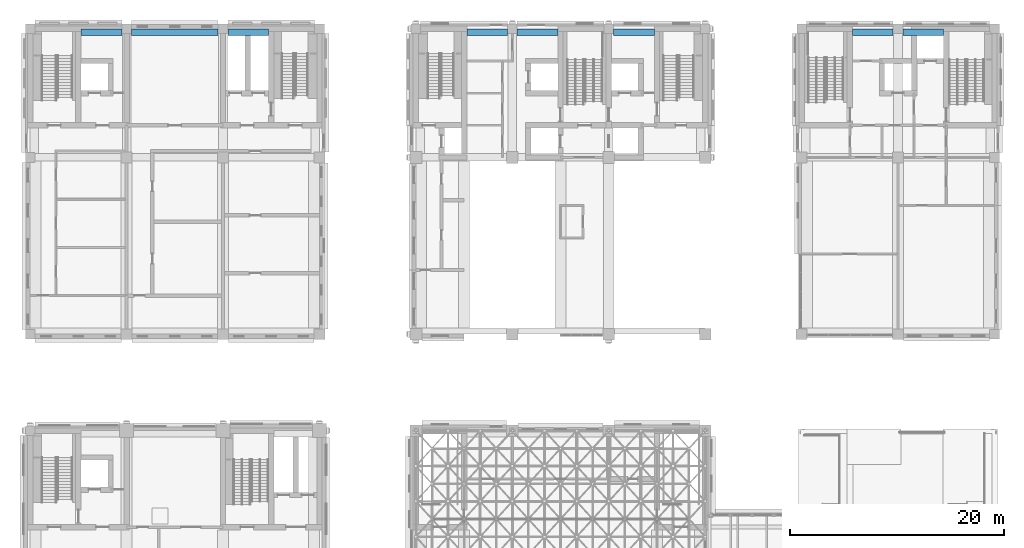
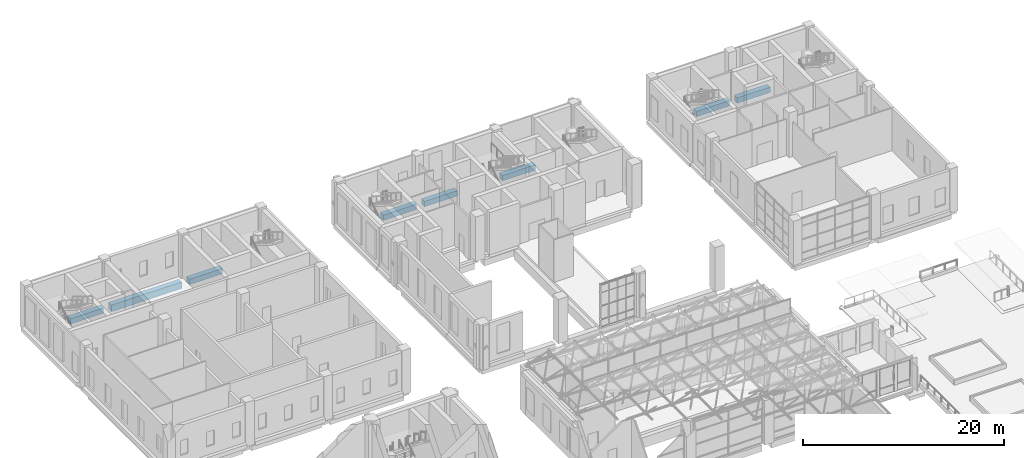
# One storey, part 14 of 53: 8 beams.
"""IFC4 building model written with IfcOpenShell, lengths in metres."""

from ifc_helpers import new_model, si_unit, direction, frame, origin, origin_2d, place, context, subcontext, project, spatial, rectangle, extrude, material, material_profile, profile_set, type_object, element, save


model = new_model("IFC4")

# Units and contexts
model_context = context("Model", 3, precision=1e-05, world=origin(), true_north=direction((0.0, 1.0)))
body_context = subcontext(model_context, "Body", "Model", "MODEL_VIEW")
ifc_project = project(units=[si_unit("LENGTHUNIT", "METRE"), si_unit("AREAUNIT", "SQUARE_METRE"), si_unit("VOLUMEUNIT", "CUBIC_METRE"), si_unit("PLANEANGLEUNIT", "RADIAN"), si_unit("MASSUNIT", "GRAM", prefix="KILO")], contexts=[model_context])

# Site, building, storey
site_placement = place(None, origin())
site = spatial("IfcSite", under=ifc_project, at=site_placement, CompositionType="ELEMENT")
building_placement = place(site_placement, origin())
building = spatial("IfcBuilding", under=site, at=building_placement, Name="Aurelan Courthouse", CompositionType="ELEMENT")
storey_placement = place(building_placement, frame((0.0, 0.0, 12.0)))
storey = spatial("IfcBuildingStorey", under=building, at=storey_placement, Name="L02", CompositionType="ELEMENT", Elevation=12.0)

# Beams
ifc_material = material(Name="Concrete C50", Category="concrete")
ifc_material_profile_1 = material_profile(ifc_material, rectangle(XDim=0.60009765625, YDim=0.64990234375, at=origin_2d()), Name="RC 600 x 650")
ifc_profile_set_1 = profile_set([ifc_material_profile_1], Name="Concrete C50")
beam_type_1 = type_object("IfcBeamType", Name="RC spandrel beam 600 x 650", PredefinedType="SPANDREL", material=ifc_profile_set_1)
for number, where, z_axis, x_axis, name in (
    (1, (40.75, 65.699951171875, -0.625), (1.0, 0.0, 0.0), (0.0, 1.0, 0.0), "Spandrel beam SB-F-5-6"),
    (2, (45.449951171875, 65.699951171875, -0.625), (1.0, 0.0, 0.0), (0.0, 1.0, 0.0), "Spandrel beam SB-F-6-7"),
    (3, (54.449951171875, 65.699951171875, -0.625), (1.0, 0.0, 0.0), (0.0, 1.0, 0.0), "Spandrel beam SB-F-7-8"),
    (4, (76.75, 65.699951171875, -0.625), (1.0, 0.0, 0.0), (0.0, 1.0, 0.0), "Spandrel beam SB-F-9-10"),
    (5, (81.449951171875, 65.699951171875, -0.625), (1.0, 0.0, 0.0), (0.0, 1.0, 0.0), "Spandrel beam SB-F-10-11"),
    (6, (4.75, 65.699951171875, -0.625), (1.0, 0.0, 0.0), (0.0, 1.0, 0.0), "Spandrel beam SB-F-1-2"),
    (7, (18.449951171875, 65.699951171875, -0.625), (1.0, 0.0, 0.0), (0.0, 1.0, 0.0), "Spandrel beam SB-F-3-4"),
):
    element("IfcBeam", number, at=place(storey_placement, frame(where, z_axis=z_axis, x_axis=x_axis)), inside=storey, type_object=beam_type_1, Name=name, PredefinedType="SPANDREL", context=body_context, shape_type="SweptSolid", body=[
        extrude(rectangle(XDim=0.60009765625, YDim=0.64990234375, at=origin_2d()), origin(), (0.0, 0.0, 1.0), 3.800048828125),
    ])
ifc_material_profile_2 = material_profile(ifc_material, rectangle(XDim=0.60009765625, YDim=0.800048828125, at=origin_2d()), Name="RC 600 x 800")
ifc_profile_set_2 = profile_set([ifc_material_profile_2], Name="Concrete C50")
beam_type_2 = type_object("IfcBeamType", Name="RC spandrel beam 600 x 800", PredefinedType="SPANDREL", material=ifc_profile_set_2)
beam_placement = place(storey_placement, frame((9.449951171875, 65.699951171875, -0.699951171875), z_axis=(1.0, 0.0, 0.0), x_axis=(0.0, 1.0, 0.0)))
element("IfcBeam", 8, at=beam_placement, inside=storey, type_object=beam_type_2, Name="Spandrel beam SB-F-2-3", PredefinedType="SPANDREL", context=body_context, shape_type="SweptSolid", body=[
    extrude(rectangle(XDim=0.60009765625, YDim=0.800048828125, at=origin_2d()), origin(), (0.0, 0.0, 1.0), 8.10009765625),
])

save(model, "model.ifc")
